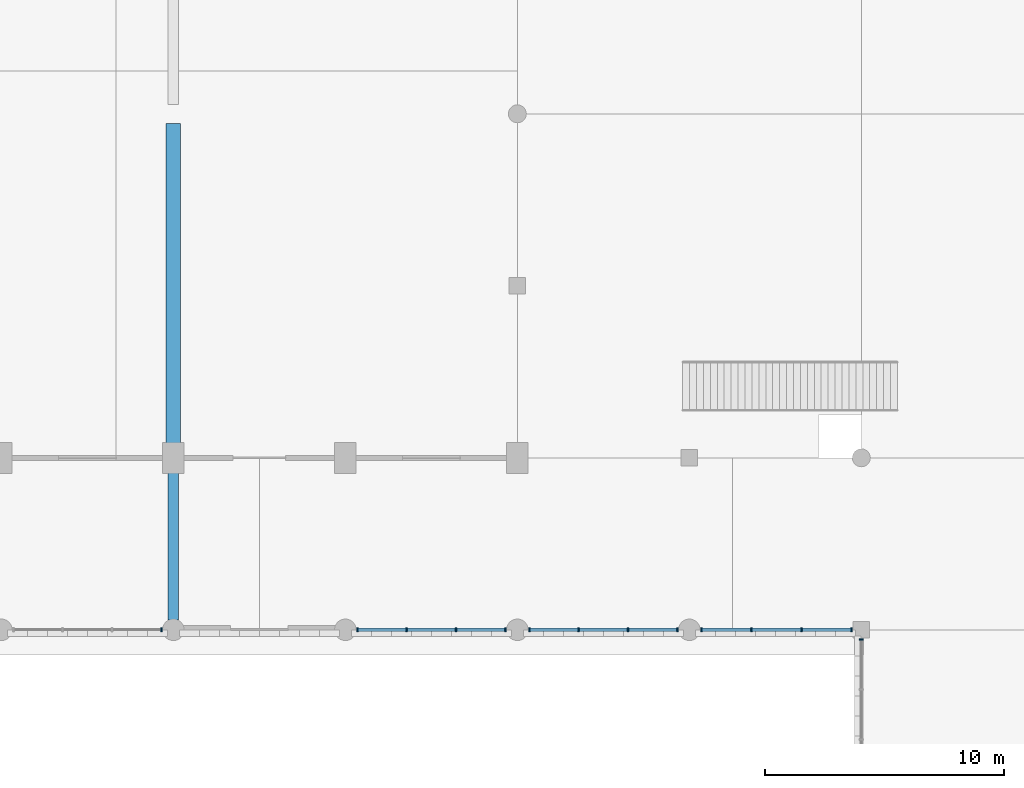
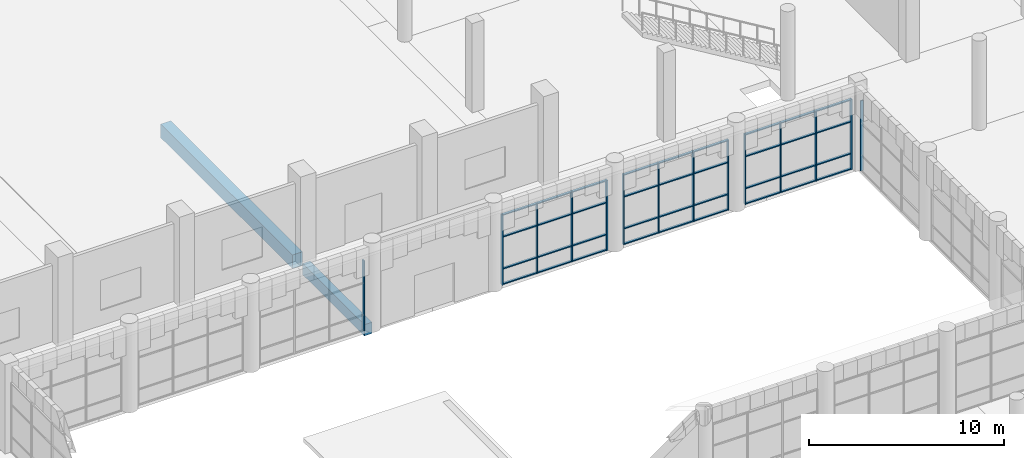
# One storey, part 23 of 85: 50 members, 2 beams, 5 elements without a shape of their own.
"""IFC4 building model written with IfcOpenShell, lengths in metres."""

from ifc_helpers import new_model, si_unit, direction, frame, origin, origin_2d, place, context, subcontext, project, spatial, rectangle, extrude, material, material_profile, profile_set, type_object, element, aggregate, save


model = new_model("IFC4")

# Units and contexts
model_context = context("Model", 3, precision=1e-05, world=origin(), true_north=direction((0.0, 1.0)))
body_context = subcontext(model_context, "Body", "Model", "MODEL_VIEW")
ifc_project = project(units=[si_unit("LENGTHUNIT", "METRE"), si_unit("AREAUNIT", "SQUARE_METRE"), si_unit("VOLUMEUNIT", "CUBIC_METRE"), si_unit("PLANEANGLEUNIT", "RADIAN"), si_unit("MASSUNIT", "GRAM", prefix="KILO")], contexts=[model_context])

# Site, building, storey
site_placement = place(None, origin())
site = spatial("IfcSite", under=ifc_project, at=site_placement, CompositionType="ELEMENT")
building_placement = place(site_placement, origin())
building = spatial("IfcBuilding", under=site, at=building_placement, Name="Sardonyx Promenade Sports Hall", CompositionType="ELEMENT")
storey_placement = place(building_placement, origin())
storey = spatial("IfcBuildingStorey", under=building, at=storey_placement, Name="L00", CompositionType="ELEMENT", Elevation=0.0)

# Beams
ifc_material_1 = material(Name="Concrete C50/60", Category="concrete")
ifc_material_profile_1 = material_profile(ifc_material_1, rectangle(XDim=0.60009765625, YDim=0.85009765625, at=origin_2d()))
ifc_profile_set_1 = profile_set([ifc_material_profile_1], Name="Concrete C50/60")
beam_type_1 = type_object("IfcBeamType", Name="Bm_Girder_RC850", PredefinedType="BEAM", material=ifc_profile_set_1)
beam_1_placement = place(storey_placement, frame((64.800048828125, 72.449951171875, -0.425048828125), z_axis=(0.0, 1.0, 0.0), x_axis=(-1.0, 0.0, 0.0)))
element("IfcBeam", 1, at=beam_1_placement, inside=storey, type_object=beam_type_1, Name="Beam BG06 L00 #145", PredefinedType="BEAM", context=body_context, shape_type="SweptSolid", body=[
    extrude(rectangle(XDim=0.60009765625, YDim=0.85009765625, at=origin_2d()), origin(), (0.0, 0.0, 1.0), 13.550048828125),
])
ifc_material_2 = material(Name="Concrete C40/50", Category="concrete")
ifc_material_profile_2 = material_profile(ifc_material_2, rectangle(XDim=0.449951171875, YDim=0.699951171875, at=origin_2d()))
ifc_profile_set_2 = profile_set([ifc_material_profile_2], Name="Concrete C40/50")
beam_type_2 = type_object("IfcBeamType", Name="Bm_Primary_RC700", PredefinedType="BEAM", material=ifc_profile_set_2)
beam_2_placement = place(storey_placement, frame((64.800048828125, 65.199951171875, -0.35009765625), z_axis=(0.0, 1.0, 0.0), x_axis=(-1.0, 0.0, 0.0)))
element("IfcBeam", 2, at=beam_2_placement, inside=storey, type_object=beam_type_2, Name="Beam BG01 L00 #144", PredefinedType="BEAM", context=body_context, shape_type="SweptSolid", body=[
    extrude(rectangle(XDim=0.449951171875, YDim=0.699951171875, at=origin_2d()), origin(), (0.0, 0.0, 1.0), 6.35009765625),
])

# Curtain wall, member
ifc_material_3 = material(Name="Aluminium 6063-T6", Category="aluminium")
curtain_wall_type = type_object("IfcCurtainWallType", Name="CW_Riwaq_L00_640", PredefinedType="USERDEFINED", material=ifc_material_3)
curtain_wall_1_placement = place(storey_placement, origin())
curtain_wall_1 = element("IfcCurtainWall", 3, at=curtain_wall_1_placement, inside=storey, type_object=curtain_wall_type, Name="Curtain wall CW17 cw:L00:113", ObjectType="CURTAIN WALL", PredefinedType="USERDEFINED")
ifc_material_4 = material(Name="Aluminium 6063-T6", Category="aluminium")
ifc_material_profile_3 = material_profile(ifc_material_4, rectangle(XDim=0.06494140625, YDim=0.175048828125, at=origin_2d()))
ifc_profile_set_3 = profile_set([ifc_material_profile_3], Name="Aluminium 6063-T6")
member_type_1 = type_object("IfcMemberType", Name="CW_Mull_175", PredefinedType="MULLION", material=ifc_profile_set_3)
member_1_placement = place(storey_placement, frame((64.297607421875, 64.800048828125, 0.0), z_axis=(0.0, 0.0, 1.0), x_axis=(-1.0, 0.0, 0.0)))
member_1 = element("IfcMember", 4, at=member_1_placement, type_object=member_type_1, Name="Mullion CM02 cw:L00:113 #1", PredefinedType="MULLION", context=body_context, shape_type="SweptSolid", body=[
    extrude(rectangle(XDim=0.06494140625, YDim=0.175048828125, at=origin_2d()), origin(), (0.0, 0.0, 1.0), 4.39990234375),
])
aggregate(curtain_wall_1, [member_1])

# Curtain wall, members
curtain_wall_2_placement = place(storey_placement, origin())
curtain_wall_2 = element("IfcCurtainWall", 5, at=curtain_wall_2_placement, inside=storey, type_object=curtain_wall_type, Name="Curtain wall CW17 cw:L00:115", ObjectType="CURTAIN WALL", PredefinedType="USERDEFINED")
member_2_placement = place(storey_placement, frame((78.697509765625, 64.800048828125, 0.0), z_axis=(0.0, 0.0, 1.0), x_axis=(-1.0, 0.0, 0.0)))
member_2 = element("IfcMember", 6, at=member_2_placement, type_object=member_type_1, Name="Mullion CM02 cw:L00:115 #1", PredefinedType="MULLION", context=body_context, shape_type="SweptSolid", body=[
    extrude(rectangle(XDim=0.06494140625, YDim=0.175048828125, at=origin_2d()), origin(), (0.0, 0.0, 1.0), 4.39990234375),
])
member_3_placement = place(storey_placement, frame((76.632568359375, 64.800048828125, 0.0), z_axis=(0.0, 0.0, 1.0), x_axis=(-1.0, 0.0, 0.0)))
member_3 = element("IfcMember", 7, at=member_3_placement, type_object=member_type_1, Name="Mullion CM02 cw:L00:115 #2", PredefinedType="MULLION", context=body_context, shape_type="SweptSolid", body=[
    extrude(rectangle(XDim=0.06494140625, YDim=0.175048828125, at=origin_2d()), origin(), (0.0, 0.0, 1.0), 4.39990234375),
])
member_4_placement = place(storey_placement, frame((74.5673828125, 64.800048828125, 0.0), z_axis=(0.0, 0.0, 1.0), x_axis=(-1.0, 0.0, 0.0)))
member_4 = element("IfcMember", 8, at=member_4_placement, type_object=member_type_1, Name="Mullion CM02 cw:L00:115 #3", PredefinedType="MULLION", context=body_context, shape_type="SweptSolid", body=[
    extrude(rectangle(XDim=0.06494140625, YDim=0.175048828125, at=origin_2d()), origin(), (0.0, 0.0, 1.0), 4.39990234375),
])
member_5_placement = place(storey_placement, frame((72.50244140625, 64.800048828125, 0.0), z_axis=(0.0, 0.0, 1.0), x_axis=(-1.0, 0.0, 0.0)))
member_5 = element("IfcMember", 9, at=member_5_placement, type_object=member_type_1, Name="Mullion CM02 cw:L00:115 #4", PredefinedType="MULLION", context=body_context, shape_type="SweptSolid", body=[
    extrude(rectangle(XDim=0.06494140625, YDim=0.175048828125, at=origin_2d()), origin(), (0.0, 0.0, 1.0), 4.39990234375),
])

curtain_wall_3_placement = place(storey_placement, origin())
curtain_wall_3 = element("IfcCurtainWall", 10, at=curtain_wall_3_placement, inside=storey, type_object=curtain_wall_type, Name="Curtain wall CW17 cw:L00:117", ObjectType="CURTAIN WALL", PredefinedType="USERDEFINED")
member_6_placement = place(storey_placement, frame((85.8974609375, 64.800048828125, 0.0), z_axis=(0.0, 0.0, 1.0), x_axis=(-1.0, 0.0, 0.0)))
member_6 = element("IfcMember", 11, at=member_6_placement, type_object=member_type_1, Name="Mullion CM02 cw:L00:117 #1", PredefinedType="MULLION", context=body_context, shape_type="SweptSolid", body=[
    extrude(rectangle(XDim=0.06494140625, YDim=0.175048828125, at=origin_2d()), origin(), (0.0, 0.0, 1.0), 4.39990234375),
])
member_7_placement = place(storey_placement, frame((83.83251953125, 64.800048828125, 0.0), z_axis=(0.0, 0.0, 1.0), x_axis=(-1.0, 0.0, 0.0)))
member_7 = element("IfcMember", 12, at=member_7_placement, type_object=member_type_1, Name="Mullion CM02 cw:L00:117 #2", PredefinedType="MULLION", context=body_context, shape_type="SweptSolid", body=[
    extrude(rectangle(XDim=0.06494140625, YDim=0.175048828125, at=origin_2d()), origin(), (0.0, 0.0, 1.0), 4.39990234375),
])
member_8_placement = place(storey_placement, frame((81.767578125, 64.800048828125, 0.0), z_axis=(0.0, 0.0, 1.0), x_axis=(-1.0, 0.0, 0.0)))
member_8 = element("IfcMember", 13, at=member_8_placement, type_object=member_type_1, Name="Mullion CM02 cw:L00:117 #3", PredefinedType="MULLION", context=body_context, shape_type="SweptSolid", body=[
    extrude(rectangle(XDim=0.06494140625, YDim=0.175048828125, at=origin_2d()), origin(), (0.0, 0.0, 1.0), 4.39990234375),
])
member_9_placement = place(storey_placement, frame((79.702392578125, 64.800048828125, 0.0), z_axis=(0.0, 0.0, 1.0), x_axis=(-1.0, 0.0, 0.0)))
member_9 = element("IfcMember", 14, at=member_9_placement, type_object=member_type_1, Name="Mullion CM02 cw:L00:117 #4", PredefinedType="MULLION", context=body_context, shape_type="SweptSolid", body=[
    extrude(rectangle(XDim=0.06494140625, YDim=0.175048828125, at=origin_2d()), origin(), (0.0, 0.0, 1.0), 4.39990234375),
])

curtain_wall_4_placement = place(storey_placement, origin())
curtain_wall_4 = element("IfcCurtainWall", 15, at=curtain_wall_4_placement, inside=storey, type_object=curtain_wall_type, Name="Curtain wall CW17 cw:L00:119", ObjectType="CURTAIN WALL", PredefinedType="USERDEFINED")
member_10_placement = place(storey_placement, frame((93.197509765625, 64.800048828125, 0.0), z_axis=(0.0, 0.0, 1.0), x_axis=(-1.0, 0.0, 0.0)))
member_10 = element("IfcMember", 16, at=member_10_placement, type_object=member_type_1, Name="Mullion CM02 cw:L00:119 #1", PredefinedType="MULLION", context=body_context, shape_type="SweptSolid", body=[
    extrude(rectangle(XDim=0.06494140625, YDim=0.175048828125, at=origin_2d()), origin(), (0.0, 0.0, 1.0), 4.39990234375),
])
member_11_placement = place(storey_placement, frame((91.09912109375, 64.800048828125, 0.0), z_axis=(0.0, 0.0, 1.0), x_axis=(-1.0, 0.0, 0.0)))
member_11 = element("IfcMember", 17, at=member_11_placement, type_object=member_type_1, Name="Mullion CM02 cw:L00:119 #2", PredefinedType="MULLION", context=body_context, shape_type="SweptSolid", body=[
    extrude(rectangle(XDim=0.06494140625, YDim=0.175048828125, at=origin_2d()), origin(), (0.0, 0.0, 1.0), 4.39990234375),
])
member_12_placement = place(storey_placement, frame((89.000732421875, 64.800048828125, 0.0), z_axis=(0.0, 0.0, 1.0), x_axis=(-1.0, 0.0, 0.0)))
member_12 = element("IfcMember", 18, at=member_12_placement, type_object=member_type_1, Name="Mullion CM02 cw:L00:119 #3", PredefinedType="MULLION", context=body_context, shape_type="SweptSolid", body=[
    extrude(rectangle(XDim=0.06494140625, YDim=0.175048828125, at=origin_2d()), origin(), (0.0, 0.0, 1.0), 4.39990234375),
])
member_13_placement = place(storey_placement, frame((86.902587890625, 64.800048828125, 0.0), z_axis=(0.0, 0.0, 1.0), x_axis=(-1.0, 0.0, 0.0)))
member_13 = element("IfcMember", 19, at=member_13_placement, type_object=member_type_1, Name="Mullion CM02 cw:L00:119 #4", PredefinedType="MULLION", context=body_context, shape_type="SweptSolid", body=[
    extrude(rectangle(XDim=0.06494140625, YDim=0.175048828125, at=origin_2d()), origin(), (0.0, 0.0, 1.0), 4.39990234375),
])

# Curtain wall, member
curtain_wall_5_placement = place(storey_placement, origin())
curtain_wall_5 = element("IfcCurtainWall", 20, at=curtain_wall_5_placement, inside=storey, type_object=curtain_wall_type, Name="Curtain wall CW17 cw:L00:125", ObjectType="CURTAIN WALL", PredefinedType="USERDEFINED")
member_14_placement = place(storey_placement, frame((93.60009765625, 64.3974609375, 0.0), z_axis=(0.0, 0.0, 1.0), x_axis=(0.0, 1.0, 0.0)))
member_14 = element("IfcMember", 21, at=member_14_placement, type_object=member_type_1, Name="Mullion CM02 cw:L00:125 #4", PredefinedType="MULLION", context=body_context, shape_type="SweptSolid", body=[
    extrude(rectangle(XDim=0.06494140625, YDim=0.175048828125, at=origin_2d()), origin(), (0.0, 0.0, 1.0), 4.39990234375),
])
aggregate(curtain_wall_5, [member_14])

# Member
ifc_material_5 = material(Name="Aluminium 6063-T6", Category="aluminium")
ifc_material_profile_4 = material_profile(ifc_material_5, rectangle(XDim=0.06494140625, YDim=0.139892578125, at=origin_2d()))
ifc_profile_set_4 = profile_set([ifc_material_profile_4], Name="Aluminium 6063-T6")
member_type_2 = type_object("IfcMemberType", Name="CW_Tran_140", PredefinedType="USERDEFINED", material=ifc_profile_set_4)
member_15_placement = place(storey_placement, frame((78.6650390625, 64.800048828125, 0.032470703125), z_axis=(-1.0, 0.0, 0.0), x_axis=(0.0, 0.0, 1.0)))
member_15 = element("IfcMember", 22, at=member_15_placement, type_object=member_type_2, Name="Transom CT02 cw:L00:115 #1", ObjectType="TRANSOM", PredefinedType="USERDEFINED", context=body_context, shape_type="SweptSolid", body=[
    extrude(rectangle(XDim=0.06494140625, YDim=0.139892578125, at=origin_2d()), origin(), (0.0, 0.0, 1.0), 2.0),
])

member_16_placement = place(storey_placement, frame((78.6650390625, 64.800048828125, 1.0), z_axis=(-1.0, 0.0, 0.0), x_axis=(0.0, 0.0, 1.0)))
member_16 = element("IfcMember", 23, at=member_16_placement, type_object=member_type_2, Name="Transom CT02 cw:L00:115 #2", ObjectType="TRANSOM", PredefinedType="USERDEFINED", context=body_context, shape_type="SweptSolid", body=[
    extrude(rectangle(XDim=0.06494140625, YDim=0.139892578125, at=origin_2d()), origin(), (0.0, 0.0, 1.0), 2.0),
])

member_17_placement = place(storey_placement, frame((78.6650390625, 64.800048828125, 3.0), z_axis=(-1.0, 0.0, 0.0), x_axis=(0.0, 0.0, 1.0)))
member_17 = element("IfcMember", 24, at=member_17_placement, type_object=member_type_2, Name="Transom CT02 cw:L00:115 #3", ObjectType="TRANSOM", PredefinedType="USERDEFINED", context=body_context, shape_type="SweptSolid", body=[
    extrude(rectangle(XDim=0.06494140625, YDim=0.139892578125, at=origin_2d()), origin(), (0.0, 0.0, 1.0), 2.0),
])

member_18_placement = place(storey_placement, frame((78.6650390625, 64.800048828125, 4.367431640625), z_axis=(-1.0, 0.0, 0.0), x_axis=(0.0, 0.0, 1.0)))
member_18 = element("IfcMember", 25, at=member_18_placement, type_object=member_type_2, Name="Transom CT02 cw:L00:115 #4", ObjectType="TRANSOM", PredefinedType="USERDEFINED", context=body_context, shape_type="SweptSolid", body=[
    extrude(rectangle(XDim=0.06494140625, YDim=0.139892578125, at=origin_2d()), origin(), (0.0, 0.0, 1.0), 2.0),
])

member_19_placement = place(storey_placement, frame((76.60009765625, 64.800048828125, 0.032470703125), z_axis=(-1.0, 0.0, 0.0), x_axis=(0.0, 0.0, 1.0)))
member_19 = element("IfcMember", 26, at=member_19_placement, type_object=member_type_2, Name="Transom CT02 cw:L00:115 #5", ObjectType="TRANSOM", PredefinedType="USERDEFINED", context=body_context, shape_type="SweptSolid", body=[
    extrude(rectangle(XDim=0.06494140625, YDim=0.139892578125, at=origin_2d()), origin(), (0.0, 0.0, 1.0), 2.0),
])

member_20_placement = place(storey_placement, frame((76.60009765625, 64.800048828125, 1.0), z_axis=(-1.0, 0.0, 0.0), x_axis=(0.0, 0.0, 1.0)))
member_20 = element("IfcMember", 27, at=member_20_placement, type_object=member_type_2, Name="Transom CT02 cw:L00:115 #6", ObjectType="TRANSOM", PredefinedType="USERDEFINED", context=body_context, shape_type="SweptSolid", body=[
    extrude(rectangle(XDim=0.06494140625, YDim=0.139892578125, at=origin_2d()), origin(), (0.0, 0.0, 1.0), 2.0),
])

member_21_placement = place(storey_placement, frame((76.60009765625, 64.800048828125, 3.0), z_axis=(-1.0, 0.0, 0.0), x_axis=(0.0, 0.0, 1.0)))
member_21 = element("IfcMember", 28, at=member_21_placement, type_object=member_type_2, Name="Transom CT02 cw:L00:115 #7", ObjectType="TRANSOM", PredefinedType="USERDEFINED", context=body_context, shape_type="SweptSolid", body=[
    extrude(rectangle(XDim=0.06494140625, YDim=0.139892578125, at=origin_2d()), origin(), (0.0, 0.0, 1.0), 2.0),
])

member_22_placement = place(storey_placement, frame((76.60009765625, 64.800048828125, 4.367431640625), z_axis=(-1.0, 0.0, 0.0), x_axis=(0.0, 0.0, 1.0)))
member_22 = element("IfcMember", 29, at=member_22_placement, type_object=member_type_2, Name="Transom CT02 cw:L00:115 #8", ObjectType="TRANSOM", PredefinedType="USERDEFINED", context=body_context, shape_type="SweptSolid", body=[
    extrude(rectangle(XDim=0.06494140625, YDim=0.139892578125, at=origin_2d()), origin(), (0.0, 0.0, 1.0), 2.0),
])

member_23_placement = place(storey_placement, frame((74.534912109375, 64.800048828125, 0.032470703125), z_axis=(-1.0, 0.0, 0.0), x_axis=(0.0, 0.0, 1.0)))
member_23 = element("IfcMember", 30, at=member_23_placement, type_object=member_type_2, Name="Transom CT02 cw:L00:115 #9", ObjectType="TRANSOM", PredefinedType="USERDEFINED", context=body_context, shape_type="SweptSolid", body=[
    extrude(rectangle(XDim=0.06494140625, YDim=0.139892578125, at=origin_2d()), origin(), (0.0, 0.0, 1.0), 2.0),
])

member_24_placement = place(storey_placement, frame((74.534912109375, 64.800048828125, 1.0), z_axis=(-1.0, 0.0, 0.0), x_axis=(0.0, 0.0, 1.0)))
member_24 = element("IfcMember", 31, at=member_24_placement, type_object=member_type_2, Name="Transom CT02 cw:L00:115 #10", ObjectType="TRANSOM", PredefinedType="USERDEFINED", context=body_context, shape_type="SweptSolid", body=[
    extrude(rectangle(XDim=0.06494140625, YDim=0.139892578125, at=origin_2d()), origin(), (0.0, 0.0, 1.0), 2.0),
])

member_25_placement = place(storey_placement, frame((74.534912109375, 64.800048828125, 3.0), z_axis=(-1.0, 0.0, 0.0), x_axis=(0.0, 0.0, 1.0)))
member_25 = element("IfcMember", 32, at=member_25_placement, type_object=member_type_2, Name="Transom CT02 cw:L00:115 #11", ObjectType="TRANSOM", PredefinedType="USERDEFINED", context=body_context, shape_type="SweptSolid", body=[
    extrude(rectangle(XDim=0.06494140625, YDim=0.139892578125, at=origin_2d()), origin(), (0.0, 0.0, 1.0), 2.0),
])

member_26_placement = place(storey_placement, frame((74.534912109375, 64.800048828125, 4.367431640625), z_axis=(-1.0, 0.0, 0.0), x_axis=(0.0, 0.0, 1.0)))
member_26 = element("IfcMember", 33, at=member_26_placement, type_object=member_type_2, Name="Transom CT02 cw:L00:115 #12", ObjectType="TRANSOM", PredefinedType="USERDEFINED", context=body_context, shape_type="SweptSolid", body=[
    extrude(rectangle(XDim=0.06494140625, YDim=0.139892578125, at=origin_2d()), origin(), (0.0, 0.0, 1.0), 2.0),
])

aggregate(curtain_wall_2, [member_2, member_3, member_4, member_5, member_15, member_16, member_17, member_18, member_19, member_20, member_21, member_22, member_23, member_24, member_25, member_26])

member_27_placement = place(storey_placement, frame((85.864990234375, 64.800048828125, 0.032470703125), z_axis=(-1.0, 0.0, 0.0), x_axis=(0.0, 0.0, 1.0)))
member_27 = element("IfcMember", 34, at=member_27_placement, type_object=member_type_2, Name="Transom CT02 cw:L00:117 #1", ObjectType="TRANSOM", PredefinedType="USERDEFINED", context=body_context, shape_type="SweptSolid", body=[
    extrude(rectangle(XDim=0.06494140625, YDim=0.139892578125, at=origin_2d()), origin(), (0.0, 0.0, 1.0), 2.0),
])

member_28_placement = place(storey_placement, frame((85.864990234375, 64.800048828125, 1.0), z_axis=(-1.0, 0.0, 0.0), x_axis=(0.0, 0.0, 1.0)))
member_28 = element("IfcMember", 35, at=member_28_placement, type_object=member_type_2, Name="Transom CT02 cw:L00:117 #2", ObjectType="TRANSOM", PredefinedType="USERDEFINED", context=body_context, shape_type="SweptSolid", body=[
    extrude(rectangle(XDim=0.06494140625, YDim=0.139892578125, at=origin_2d()), origin(), (0.0, 0.0, 1.0), 2.0),
])

member_29_placement = place(storey_placement, frame((85.864990234375, 64.800048828125, 3.0), z_axis=(-1.0, 0.0, 0.0), x_axis=(0.0, 0.0, 1.0)))
member_29 = element("IfcMember", 36, at=member_29_placement, type_object=member_type_2, Name="Transom CT02 cw:L00:117 #3", ObjectType="TRANSOM", PredefinedType="USERDEFINED", context=body_context, shape_type="SweptSolid", body=[
    extrude(rectangle(XDim=0.06494140625, YDim=0.139892578125, at=origin_2d()), origin(), (0.0, 0.0, 1.0), 2.0),
])

member_30_placement = place(storey_placement, frame((85.864990234375, 64.800048828125, 4.367431640625), z_axis=(-1.0, 0.0, 0.0), x_axis=(0.0, 0.0, 1.0)))
member_30 = element("IfcMember", 37, at=member_30_placement, type_object=member_type_2, Name="Transom CT02 cw:L00:117 #4", ObjectType="TRANSOM", PredefinedType="USERDEFINED", context=body_context, shape_type="SweptSolid", body=[
    extrude(rectangle(XDim=0.06494140625, YDim=0.139892578125, at=origin_2d()), origin(), (0.0, 0.0, 1.0), 2.0),
])

member_31_placement = place(storey_placement, frame((83.800048828125, 64.800048828125, 0.032470703125), z_axis=(-1.0, 0.0, 0.0), x_axis=(0.0, 0.0, 1.0)))
member_31 = element("IfcMember", 38, at=member_31_placement, type_object=member_type_2, Name="Transom CT02 cw:L00:117 #5", ObjectType="TRANSOM", PredefinedType="USERDEFINED", context=body_context, shape_type="SweptSolid", body=[
    extrude(rectangle(XDim=0.06494140625, YDim=0.139892578125, at=origin_2d()), origin(), (0.0, 0.0, 1.0), 2.0),
])

member_32_placement = place(storey_placement, frame((83.800048828125, 64.800048828125, 1.0), z_axis=(-1.0, 0.0, 0.0), x_axis=(0.0, 0.0, 1.0)))
member_32 = element("IfcMember", 39, at=member_32_placement, type_object=member_type_2, Name="Transom CT02 cw:L00:117 #6", ObjectType="TRANSOM", PredefinedType="USERDEFINED", context=body_context, shape_type="SweptSolid", body=[
    extrude(rectangle(XDim=0.06494140625, YDim=0.139892578125, at=origin_2d()), origin(), (0.0, 0.0, 1.0), 2.0),
])

member_33_placement = place(storey_placement, frame((83.800048828125, 64.800048828125, 3.0), z_axis=(-1.0, 0.0, 0.0), x_axis=(0.0, 0.0, 1.0)))
member_33 = element("IfcMember", 40, at=member_33_placement, type_object=member_type_2, Name="Transom CT02 cw:L00:117 #7", ObjectType="TRANSOM", PredefinedType="USERDEFINED", context=body_context, shape_type="SweptSolid", body=[
    extrude(rectangle(XDim=0.06494140625, YDim=0.139892578125, at=origin_2d()), origin(), (0.0, 0.0, 1.0), 2.0),
])

member_34_placement = place(storey_placement, frame((83.800048828125, 64.800048828125, 4.367431640625), z_axis=(-1.0, 0.0, 0.0), x_axis=(0.0, 0.0, 1.0)))
member_34 = element("IfcMember", 41, at=member_34_placement, type_object=member_type_2, Name="Transom CT02 cw:L00:117 #8", ObjectType="TRANSOM", PredefinedType="USERDEFINED", context=body_context, shape_type="SweptSolid", body=[
    extrude(rectangle(XDim=0.06494140625, YDim=0.139892578125, at=origin_2d()), origin(), (0.0, 0.0, 1.0), 2.0),
])

member_35_placement = place(storey_placement, frame((81.735107421875, 64.800048828125, 0.032470703125), z_axis=(-1.0, 0.0, 0.0), x_axis=(0.0, 0.0, 1.0)))
member_35 = element("IfcMember", 42, at=member_35_placement, type_object=member_type_2, Name="Transom CT02 cw:L00:117 #9", ObjectType="TRANSOM", PredefinedType="USERDEFINED", context=body_context, shape_type="SweptSolid", body=[
    extrude(rectangle(XDim=0.06494140625, YDim=0.139892578125, at=origin_2d()), origin(), (0.0, 0.0, 1.0), 2.0),
])

member_36_placement = place(storey_placement, frame((81.735107421875, 64.800048828125, 1.0), z_axis=(-1.0, 0.0, 0.0), x_axis=(0.0, 0.0, 1.0)))
member_36 = element("IfcMember", 43, at=member_36_placement, type_object=member_type_2, Name="Transom CT02 cw:L00:117 #10", ObjectType="TRANSOM", PredefinedType="USERDEFINED", context=body_context, shape_type="SweptSolid", body=[
    extrude(rectangle(XDim=0.06494140625, YDim=0.139892578125, at=origin_2d()), origin(), (0.0, 0.0, 1.0), 2.0),
])

member_37_placement = place(storey_placement, frame((81.735107421875, 64.800048828125, 3.0), z_axis=(-1.0, 0.0, 0.0), x_axis=(0.0, 0.0, 1.0)))
member_37 = element("IfcMember", 44, at=member_37_placement, type_object=member_type_2, Name="Transom CT02 cw:L00:117 #11", ObjectType="TRANSOM", PredefinedType="USERDEFINED", context=body_context, shape_type="SweptSolid", body=[
    extrude(rectangle(XDim=0.06494140625, YDim=0.139892578125, at=origin_2d()), origin(), (0.0, 0.0, 1.0), 2.0),
])

member_38_placement = place(storey_placement, frame((81.735107421875, 64.800048828125, 4.367431640625), z_axis=(-1.0, 0.0, 0.0), x_axis=(0.0, 0.0, 1.0)))
member_38 = element("IfcMember", 45, at=member_38_placement, type_object=member_type_2, Name="Transom CT02 cw:L00:117 #12", ObjectType="TRANSOM", PredefinedType="USERDEFINED", context=body_context, shape_type="SweptSolid", body=[
    extrude(rectangle(XDim=0.06494140625, YDim=0.139892578125, at=origin_2d()), origin(), (0.0, 0.0, 1.0), 2.0),
])

aggregate(curtain_wall_3, [member_6, member_7, member_8, member_9, member_27, member_28, member_29, member_30, member_31, member_32, member_33, member_34, member_35, member_36, member_37, member_38])

member_39_placement = place(storey_placement, frame((93.1650390625, 64.800048828125, 0.032470703125), z_axis=(-1.0, 0.0, 0.0), x_axis=(0.0, 0.0, 1.0)))
member_39 = element("IfcMember", 46, at=member_39_placement, type_object=member_type_2, Name="Transom CT02 cw:L00:119 #1", ObjectType="TRANSOM", PredefinedType="USERDEFINED", context=body_context, shape_type="SweptSolid", body=[
    extrude(rectangle(XDim=0.06494140625, YDim=0.139892578125, at=origin_2d()), origin(), (0.0, 0.0, 1.0), 2.033447265625),
])

member_40_placement = place(storey_placement, frame((93.1650390625, 64.800048828125, 1.0), z_axis=(-1.0, 0.0, 0.0), x_axis=(0.0, 0.0, 1.0)))
member_40 = element("IfcMember", 47, at=member_40_placement, type_object=member_type_2, Name="Transom CT02 cw:L00:119 #2", ObjectType="TRANSOM", PredefinedType="USERDEFINED", context=body_context, shape_type="SweptSolid", body=[
    extrude(rectangle(XDim=0.06494140625, YDim=0.139892578125, at=origin_2d()), origin(), (0.0, 0.0, 1.0), 2.033447265625),
])

member_41_placement = place(storey_placement, frame((93.1650390625, 64.800048828125, 3.0), z_axis=(-1.0, 0.0, 0.0), x_axis=(0.0, 0.0, 1.0)))
member_41 = element("IfcMember", 48, at=member_41_placement, type_object=member_type_2, Name="Transom CT02 cw:L00:119 #3", ObjectType="TRANSOM", PredefinedType="USERDEFINED", context=body_context, shape_type="SweptSolid", body=[
    extrude(rectangle(XDim=0.06494140625, YDim=0.139892578125, at=origin_2d()), origin(), (0.0, 0.0, 1.0), 2.033447265625),
])

member_42_placement = place(storey_placement, frame((93.1650390625, 64.800048828125, 4.367431640625), z_axis=(-1.0, 0.0, 0.0), x_axis=(0.0, 0.0, 1.0)))
member_42 = element("IfcMember", 49, at=member_42_placement, type_object=member_type_2, Name="Transom CT02 cw:L00:119 #4", ObjectType="TRANSOM", PredefinedType="USERDEFINED", context=body_context, shape_type="SweptSolid", body=[
    extrude(rectangle(XDim=0.06494140625, YDim=0.139892578125, at=origin_2d()), origin(), (0.0, 0.0, 1.0), 2.033447265625),
])

member_43_placement = place(storey_placement, frame((91.066650390625, 64.800048828125, 0.032470703125), z_axis=(-1.0, 0.0, 0.0), x_axis=(0.0, 0.0, 1.0)))
member_43 = element("IfcMember", 50, at=member_43_placement, type_object=member_type_2, Name="Transom CT02 cw:L00:119 #5", ObjectType="TRANSOM", PredefinedType="USERDEFINED", context=body_context, shape_type="SweptSolid", body=[
    extrude(rectangle(XDim=0.06494140625, YDim=0.139892578125, at=origin_2d()), origin(), (0.0, 0.0, 1.0), 2.033203125),
])

member_44_placement = place(storey_placement, frame((91.066650390625, 64.800048828125, 1.0), z_axis=(-1.0, 0.0, 0.0), x_axis=(0.0, 0.0, 1.0)))
member_44 = element("IfcMember", 51, at=member_44_placement, type_object=member_type_2, Name="Transom CT02 cw:L00:119 #6", ObjectType="TRANSOM", PredefinedType="USERDEFINED", context=body_context, shape_type="SweptSolid", body=[
    extrude(rectangle(XDim=0.06494140625, YDim=0.139892578125, at=origin_2d()), origin(), (0.0, 0.0, 1.0), 2.033203125),
])

member_45_placement = place(storey_placement, frame((91.066650390625, 64.800048828125, 3.0), z_axis=(-1.0, 0.0, 0.0), x_axis=(0.0, 0.0, 1.0)))
member_45 = element("IfcMember", 52, at=member_45_placement, type_object=member_type_2, Name="Transom CT02 cw:L00:119 #7", ObjectType="TRANSOM", PredefinedType="USERDEFINED", context=body_context, shape_type="SweptSolid", body=[
    extrude(rectangle(XDim=0.06494140625, YDim=0.139892578125, at=origin_2d()), origin(), (0.0, 0.0, 1.0), 2.033203125),
])

member_46_placement = place(storey_placement, frame((91.066650390625, 64.800048828125, 4.367431640625), z_axis=(-1.0, 0.0, 0.0), x_axis=(0.0, 0.0, 1.0)))
member_46 = element("IfcMember", 53, at=member_46_placement, type_object=member_type_2, Name="Transom CT02 cw:L00:119 #8", ObjectType="TRANSOM", PredefinedType="USERDEFINED", context=body_context, shape_type="SweptSolid", body=[
    extrude(rectangle(XDim=0.06494140625, YDim=0.139892578125, at=origin_2d()), origin(), (0.0, 0.0, 1.0), 2.033203125),
])

member_47_placement = place(storey_placement, frame((88.96826171875, 64.800048828125, 0.032470703125), z_axis=(-1.0, 0.0, 0.0), x_axis=(0.0, 0.0, 1.0)))
member_47 = element("IfcMember", 54, at=member_47_placement, type_object=member_type_2, Name="Transom CT02 cw:L00:119 #9", ObjectType="TRANSOM", PredefinedType="USERDEFINED", context=body_context, shape_type="SweptSolid", body=[
    extrude(rectangle(XDim=0.06494140625, YDim=0.139892578125, at=origin_2d()), origin(), (0.0, 0.0, 1.0), 2.033203125),
])

member_48_placement = place(storey_placement, frame((88.96826171875, 64.800048828125, 1.0), z_axis=(-1.0, 0.0, 0.0), x_axis=(0.0, 0.0, 1.0)))
member_48 = element("IfcMember", 55, at=member_48_placement, type_object=member_type_2, Name="Transom CT02 cw:L00:119 #10", ObjectType="TRANSOM", PredefinedType="USERDEFINED", context=body_context, shape_type="SweptSolid", body=[
    extrude(rectangle(XDim=0.06494140625, YDim=0.139892578125, at=origin_2d()), origin(), (0.0, 0.0, 1.0), 2.033203125),
])

member_49_placement = place(storey_placement, frame((88.96826171875, 64.800048828125, 3.0), z_axis=(-1.0, 0.0, 0.0), x_axis=(0.0, 0.0, 1.0)))
member_49 = element("IfcMember", 56, at=member_49_placement, type_object=member_type_2, Name="Transom CT02 cw:L00:119 #11", ObjectType="TRANSOM", PredefinedType="USERDEFINED", context=body_context, shape_type="SweptSolid", body=[
    extrude(rectangle(XDim=0.06494140625, YDim=0.139892578125, at=origin_2d()), origin(), (0.0, 0.0, 1.0), 2.033203125),
])

member_50_placement = place(storey_placement, frame((88.96826171875, 64.800048828125, 4.367431640625), z_axis=(-1.0, 0.0, 0.0), x_axis=(0.0, 0.0, 1.0)))
member_50 = element("IfcMember", 57, at=member_50_placement, type_object=member_type_2, Name="Transom CT02 cw:L00:119 #12", ObjectType="TRANSOM", PredefinedType="USERDEFINED", context=body_context, shape_type="SweptSolid", body=[
    extrude(rectangle(XDim=0.06494140625, YDim=0.139892578125, at=origin_2d()), origin(), (0.0, 0.0, 1.0), 2.033203125),
])

aggregate(curtain_wall_4, [member_10, member_11, member_12, member_13, member_39, member_40, member_41, member_42, member_43, member_44, member_45, member_46, member_47, member_48, member_49, member_50])

save(model, "model.ifc")
